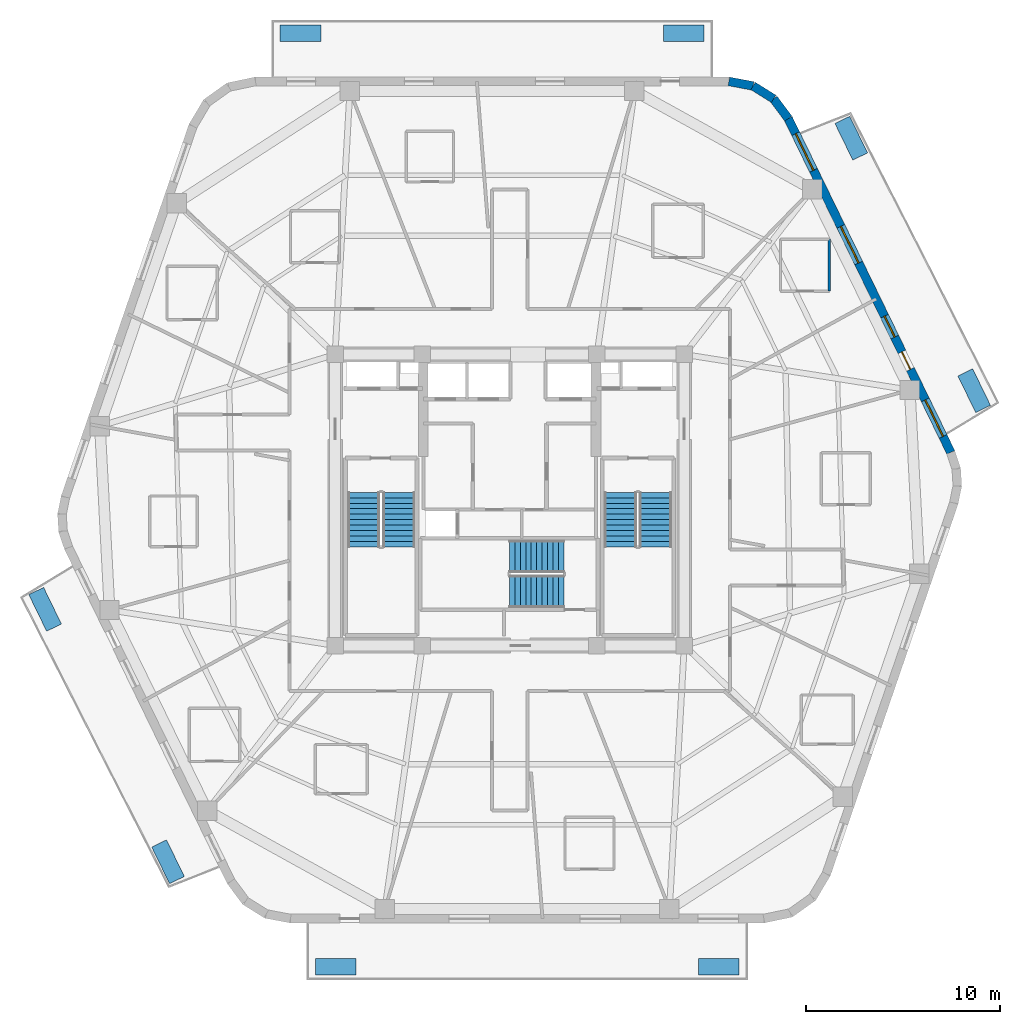
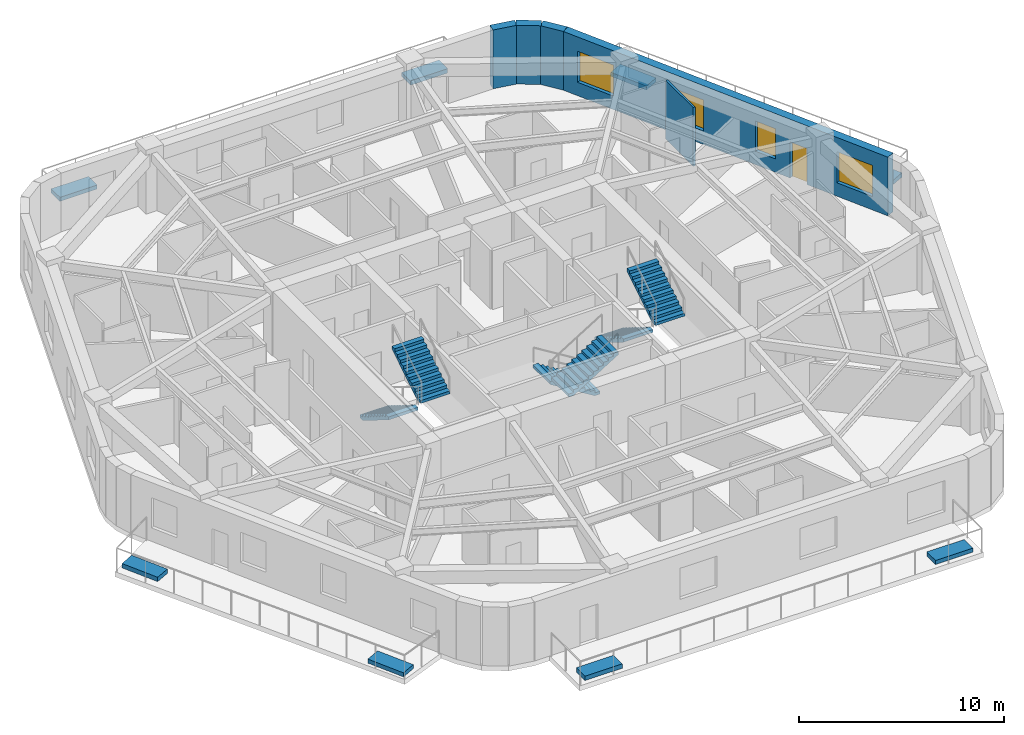
# One storey, part 7 of 10: 8 discrete accessories, 6 stair flights, 5 walls, 4 windows, 1 door, 5 openings, 3 elements without a shape of their own.
"""IFC4 building model written with IfcOpenShell, lengths in metres."""

from ifc_helpers import new_model, si_unit, direction, frame, frame_2d, origin, origin_2d, place, context, subcontext, project, spatial, polyline, rectangle, outline, extrude, material, layer, layer_set, type_object, element, fill, aggregate, save


model = new_model("IFC4")

# Units and contexts
model_context = context("Model", 3, precision=1e-05, world=origin(), true_north=direction((0.0, 1.0)))
body_context = subcontext(model_context, "Body", "Model", "MODEL_VIEW")
ifc_project = project(units=[si_unit("LENGTHUNIT", "METRE"), si_unit("AREAUNIT", "SQUARE_METRE"), si_unit("VOLUMEUNIT", "CUBIC_METRE"), si_unit("PLANEANGLEUNIT", "RADIAN"), si_unit("MASSUNIT", "GRAM", prefix="KILO")], contexts=[model_context])

# Site, building, storey
site_placement = place(None, origin())
site = spatial("IfcSite", under=ifc_project, at=site_placement, CompositionType="ELEMENT")
building_placement = place(site_placement, origin())
building = spatial("IfcBuilding", under=site, at=building_placement, Name="Kilnhurst Terrace Hotel", CompositionType="ELEMENT")
storey_placement = place(building_placement, frame((0.0, 0.0, 248.300048828125)))
storey = spatial("IfcBuildingStorey", under=building, at=storey_placement, Name="L62", CompositionType="ELEMENT", Elevation=248.300048828125)

# Walls
ifc_material_1 = material(Name="Precast concrete C40/50", Category="concrete")
ifc_layer_1 = layer(ifc_material_1, 0.449951171875, Name="Precast concrete C40/50")
ifc_layer_set_1 = layer_set([ifc_layer_1], Name="Precast concrete C40/50")
wall_type_1 = type_object("IfcWallType", Name="WL-BRK-450", PredefinedType="SOLIDWALL", material=ifc_layer_set_1)
wall_1_placement = place(storey_placement, frame((14.3623046875, 19.658447265625, 0.0), z_axis=(0.0, 0.0, 1.0), x_axis=(-0.596642462792, 0.80250717853, 0.0)))
element("IfcWall", 1, at=wall_1_placement, inside=storey, type_object=wall_type_1, Name="L62 Rounded Corner Brick Wall C4.1", PredefinedType="SOLIDWALL", context=body_context, shape_type="SweptSolid", body=[
    extrude(rectangle(XDim=1.27001953125, YDim=0.449951171875, at=frame_2d((0.635009765625, 0.0))), origin(), (0.0, 0.0, 1.0), 3.5),
])
wall_2_placement = place(storey_placement, frame((13.6044921875, 20.677734375, 0.0), z_axis=(0.0, 0.0, 1.0), x_axis=(-0.847910404124, 0.53013955387, 0.0)))
element("IfcWall", 2, at=wall_2_placement, inside=storey, type_object=wall_type_1, Name="L62 Rounded Corner Brick Wall C4.2", PredefinedType="SOLIDWALL", context=body_context, shape_type="SweptSolid", body=[
    extrude(rectangle(XDim=1.24853515625, YDim=0.449951171875, at=frame_2d((0.624267578125, 0.0))), origin(), (0.0, 0.0, 1.0), 3.5),
])
wall_3_placement = place(storey_placement, frame((12.5458984375, 21.339599609375, 0.0), z_axis=(0.0, 0.0, 1.0), x_axis=(-0.982686750835, 0.18527479519, 0.0)))
element("IfcWall", 3, at=wall_3_placement, inside=storey, type_object=wall_type_1, Name="L62 Rounded Corner Brick Wall C4.3", PredefinedType="SOLIDWALL", context=body_context, shape_type="SweptSolid", body=[
    extrude(rectangle(XDim=1.270263671875, YDim=0.449951171875, at=frame_2d((0.63525390625, 0.0))), origin(), (0.0, 0.0, 1.0), 3.5),
])

# Wall, openings, door, windows
wall_4_placement = place(storey_placement, frame((22.73974609375, 2.4521484375, 0.0), z_axis=(0.0, 0.0, 1.0), x_axis=(-0.437753424814, 0.899095066755, 0.0)))
wall_4 = element("IfcWall", 4, at=wall_4_placement, inside=storey, type_object=wall_type_1, Name="L62 Exterior Brick Facade Wall F3", PredefinedType="SOLIDWALL", context=body_context, shape_type="SweptSolid", body=[
    extrude(rectangle(XDim=19.137451171875, YDim=0.449951171875, at=frame_2d((9.56884765625, 0.0))), origin(), (0.0, 0.0, 1.0), 3.5),
])
opening_1_placement = place(wall_4_placement, frame((4.762939453125, 0.0, 0.0)))
opening_1 = element("IfcOpeningElement", 5, at=opening_1_placement, cuts=wall_4, Name="Opening BD-1000", PredefinedType="OPENING", context=body_context, shape_type="SweptSolid", body=[
    extrude(rectangle(XDim=1.0, YDim=2.14990234375, at=frame_2d((0.5, 1.074951171875))), frame((0.0, 0.23486328125, 0.0), z_axis=(0.0, -1.0, 0.0), x_axis=(1.0, 0.0, 0.0)), (0.0, 0.0, 1.0), 0.469970703125),
])
opening_2_placement = place(wall_4_placement, frame((6.611083984375, 0.0, 0.800048828125)))
opening_2 = element("IfcOpeningElement", 6, at=opening_2_placement, cuts=wall_4, Name="Opening W-03", PredefinedType="OPENING", context=body_context, shape_type="SweptSolid", body=[
    extrude(rectangle(XDim=1.199951171875, YDim=1.800048828125, at=frame_2d((0.60009765625, 0.89990234375))), frame((0.0, 0.23486328125, 0.0), z_axis=(0.0, -1.0, 0.0), x_axis=(1.0, 0.0, 0.0)), (0.0, 0.0, 1.0), 0.469970703125),
])
opening_3_placement = place(wall_4_placement, frame((10.85595703125, 0.0, 0.800048828125)))
opening_3 = element("IfcOpeningElement", 7, at=opening_3_placement, cuts=wall_4, Name="Opening W-04", PredefinedType="OPENING", context=body_context, shape_type="SweptSolid", body=[
    extrude(rectangle(XDim=2.10009765625, YDim=1.85009765625, at=frame_2d((1.050048828125, 0.925048828125))), frame((0.0, 0.23486328125, 0.0), z_axis=(0.0, -1.0, 0.0), x_axis=(1.0, 0.0, 0.0)), (0.0, 0.0, 1.0), 0.469970703125),
])
opening_4_placement = place(wall_4_placement, frame((16.173095703125, 0.0, 0.800048828125)))
opening_4 = element("IfcOpeningElement", 8, at=opening_4_placement, cuts=wall_4, Name="Opening W-04", PredefinedType="OPENING", context=body_context, shape_type="SweptSolid", body=[
    extrude(rectangle(XDim=2.10009765625, YDim=1.85009765625, at=frame_2d((1.050048828125, 0.925048828125))), frame((0.0, 0.23486328125, 0.0), z_axis=(0.0, -1.0, 0.0), x_axis=(1.0, 0.0, 0.0)), (0.0, 0.0, 1.0), 0.469970703125),
])
opening_5_placement = place(wall_4_placement, frame((0.916015625, 0.0, 0.800048828125)))
opening_5 = element("IfcOpeningElement", 9, at=opening_5_placement, cuts=wall_4, Name="Opening W-04", PredefinedType="OPENING", context=body_context, shape_type="SweptSolid", body=[
    extrude(rectangle(XDim=2.10009765625, YDim=1.85009765625, at=frame_2d((1.050048828125, 0.925048828125))), frame((0.0, 0.23486328125, 0.0), z_axis=(0.0, -1.0, 0.0), x_axis=(1.0, 0.0, 0.0)), (0.0, 0.0, 1.0), 0.469970703125),
])
ifc_material_2 = material(Name="Thermally Broken Bronze Aluminium Alloy 6063-T6 and Laminated Glass", Category="aluminium")
door_type = type_object("IfcDoorType", Name="DR-EXT-BAL-1000", OperationType="NOTDEFINED", PredefinedType="DOOR", material=ifc_material_2)
door_placement = place(opening_1_placement, origin())
door = element("IfcDoor", 10, at=door_placement, inside=storey, type_object=door_type, Name="L62 Planted Balcony Door BAL-L1A", OperationType="SINGLE_SWING_LEFT", OverallHeight=2.14990234375, OverallWidth=1.0, PredefinedType="DOOR", context=body_context, shape_type="SweptSolid", body=[
    extrude(rectangle(XDim=1.0, YDim=2.14990234375, at=frame_2d((0.5, 1.074951171875))), frame((0.0, 0.02490234375, 0.0), z_axis=(0.0, -1.0, 0.0), x_axis=(1.0, 0.0, 0.0)), (0.0, 0.0, 1.0), 0.050048828125),
])
fill(opening_1, door)
ifc_material_3 = material(Name="Thermally Broken Bronze Aluminium Alloy 6063-T6 and Low-E Glass", Category="aluminium")
window_type_1 = type_object("IfcWindowType", Name="WIN-1200X1800", PartitioningType="SINGLE_PANEL", PredefinedType="WINDOW", material=ifc_material_3)
window_1_placement = place(opening_2_placement, origin())
window_1 = element("IfcWindow", 11, at=window_1_placement, inside=storey, type_object=window_type_1, Name="L62 Deep-Set Masonry Window F3.1", OverallHeight=1.800048828125, OverallWidth=1.199951171875, PartitioningType="SINGLE_PANEL", PredefinedType="WINDOW", context=body_context, shape_type="SweptSolid", body=[
    extrude(rectangle(XDim=1.199951171875, YDim=1.800048828125, at=frame_2d((0.60009765625, 0.89990234375))), frame((0.0, 0.030029296875, 0.0), z_axis=(0.0, -1.0, 0.0), x_axis=(1.0, 0.0, 0.0)), (0.0, 0.0, 1.0), 0.06005859375),
])
fill(opening_2, window_1)
window_type_2 = type_object("IfcWindowType", Name="WIN-2100X1850", PartitioningType="SINGLE_PANEL", PredefinedType="WINDOW", material=ifc_material_3)
window_2_placement = place(opening_3_placement, origin())
window_2 = element("IfcWindow", 12, at=window_2_placement, inside=storey, type_object=window_type_2, Name="L62 Deep-Set Masonry Window F3.2", OverallHeight=1.85009765625, OverallWidth=2.10009765625, PartitioningType="SINGLE_PANEL", PredefinedType="WINDOW", context=body_context, shape_type="SweptSolid", body=[
    extrude(rectangle(XDim=2.10009765625, YDim=1.85009765625, at=frame_2d((1.050048828125, 0.925048828125))), frame((0.0, 0.030029296875, 0.0), z_axis=(0.0, -1.0, 0.0), x_axis=(1.0, 0.0, 0.0)), (0.0, 0.0, 1.0), 0.06005859375),
])
fill(opening_3, window_2)
window_3_placement = place(opening_4_placement, origin())
window_3 = element("IfcWindow", 13, at=window_3_placement, inside=storey, type_object=window_type_2, Name="L62 Deep-Set Masonry Window F3.3", OverallHeight=1.85009765625, OverallWidth=2.10009765625, PartitioningType="SINGLE_PANEL", PredefinedType="WINDOW", context=body_context, shape_type="SweptSolid", body=[
    extrude(rectangle(XDim=2.10009765625, YDim=1.85009765625, at=frame_2d((1.050048828125, 0.925048828125))), frame((0.0, 0.030029296875, 0.0), z_axis=(0.0, -1.0, 0.0), x_axis=(1.0, 0.0, 0.0)), (0.0, 0.0, 1.0), 0.06005859375),
])
fill(opening_4, window_3)
window_4_placement = place(opening_5_placement, origin())
window_4 = element("IfcWindow", 14, at=window_4_placement, inside=storey, type_object=window_type_2, Name="L62 Deep-Set Masonry Window F3.4", OverallHeight=1.85009765625, OverallWidth=2.10009765625, PartitioningType="SINGLE_PANEL", PredefinedType="WINDOW", context=body_context, shape_type="SweptSolid", body=[
    extrude(rectangle(XDim=2.10009765625, YDim=1.85009765625, at=frame_2d((1.050048828125, 0.925048828125))), frame((0.0, 0.030029296875, 0.0), z_axis=(0.0, -1.0, 0.0), x_axis=(1.0, 0.0, 0.0)), (0.0, 0.0, 1.0), 0.06005859375),
])
fill(opening_5, window_4)

# Wall
ifc_material_4 = material(Name="120 mm Moisture-Resistant Tile-Backed Bathroom Partition")
ifc_layer_2 = layer(ifc_material_4, 0.1201171875, Name="120 mm Moisture-Resistant Tile-Backed Bathroom Partition")
ifc_layer_set_2 = layer_set([ifc_layer_2], Name="120 mm Moisture-Resistant Tile-Backed Bathroom Partition")
wall_type_2 = type_object("IfcWallType", Name="WL-PART-120", PredefinedType="PARTITIONING", material=ifc_layer_set_2)
wall_5_placement = place(storey_placement, frame((16.47802734375, 10.761962890625, 0.0), z_axis=(0.0, 0.0, 1.0), x_axis=(0.0, 1.0, 0.0)))
element("IfcWall", 15, at=wall_5_placement, inside=storey, type_object=wall_type_2, Name="L62 Interior Wall WL-L62-BTH-02-2", PredefinedType="PARTITIONING", context=body_context, shape_type="SweptSolid", body=[
    extrude(rectangle(XDim=2.679931640625, YDim=0.1201171875, at=frame_2d((1.33984375, 0.0))), origin(), (0.0, 0.0, 1.0), 3.5),
])

# Stair, stair flights
ifc_material_5 = material(Name="Concrete C50/60", Category="concrete")
stair_type = type_object("IfcStairType", Name="STR-CORE-1660", PredefinedType="HALF_TURN_STAIR", material=ifc_material_5)
stair_1_placement = place(storey_placement, origin())
stair_1 = element("IfcStair", 16, at=stair_1_placement, inside=storey, type_object=stair_type, Name="L62 ST-1", PredefinedType="HALF_TURN_STAIR")
stair_flight_type = type_object("IfcStairFlightType", Name="FLT-RC-1660", PredefinedType="STRAIGHT", material=ifc_material_5)
stair_flight_1_placement = place(storey_placement, frame((-7.52001953125, 0.389892578125, 0.0), z_axis=(0.0, 0.0, 1.0), x_axis=(0.0, -1.0, 0.0)))
stair_flight_1 = element("IfcStairFlight", 17, at=stair_flight_1_placement, type_object=stair_flight_type, Name="ST-1 flight 1", NumberOfRisers=11, NumberOfTreads=10, PredefinedType="STRAIGHT", RiserHeight=0.172727273, TreadLength=0.28, context=body_context, shape_type="SweptSolid", body=[
    extrude(outline(polyline([(0.0, 0.0), (0.0, 0.172607421875), (0.280029296875, 0.172607421875), (0.280029296875, 0.345458984375), (0.56005859375, 0.345458984375), (0.56005859375, 0.51806640625), (0.840087890625, 0.51806640625), (0.840087890625, 0.69091796875), (1.1201171875, 0.69091796875), (1.1201171875, 0.863525390625), (1.39990234375, 0.863525390625), (1.39990234375, 1.036376953125), (1.679931640625, 1.036376953125), (1.679931640625, 1.208984375), (1.9599609375, 1.208984375), (1.9599609375, 1.3818359375), (2.239990234375, 1.3818359375), (2.239990234375, 1.554443359375), (2.52001953125, 1.554443359375), (2.52001953125, 1.727294921875), (2.800048828125, 1.727294921875), (2.800048828125, 1.89990234375), (2.800048828125, 1.551025390625), (0.285400390625, 0.0), (0.0, 0.0)])), frame((0.0, 0.830078125, 0.0), z_axis=(0.0, -1.0, 0.0), x_axis=(1.0, 0.0, 0.0)), (0.0, 0.0, 1.0), 1.659912109375),
])
stair_flight_2_placement = place(storey_placement, frame((-5.7099609375, -2.409912109375, 1.89990234375), z_axis=(0.0, 0.0, 1.0), x_axis=(0.0, 1.0, 0.0)))
stair_flight_2 = element("IfcStairFlight", 18, at=stair_flight_2_placement, type_object=stair_flight_type, Name="ST-1 flight 2", NumberOfRisers=11, NumberOfTreads=10, PredefinedType="STRAIGHT", RiserHeight=0.172727273, TreadLength=0.28, context=body_context, shape_type="SweptSolid", body=[
    extrude(outline(polyline([(0.0, 0.0), (0.0, 0.172607421875), (0.280029296875, 0.172607421875), (0.280029296875, 0.345458984375), (0.56005859375, 0.345458984375), (0.56005859375, 0.51806640625), (0.840087890625, 0.51806640625), (0.840087890625, 0.69091796875), (1.1201171875, 0.69091796875), (1.1201171875, 0.863525390625), (1.39990234375, 0.863525390625), (1.39990234375, 1.036376953125), (1.679931640625, 1.036376953125), (1.679931640625, 1.208984375), (1.9599609375, 1.208984375), (1.9599609375, 1.3818359375), (2.239990234375, 1.3818359375), (2.239990234375, 1.554443359375), (2.52001953125, 1.554443359375), (2.52001953125, 1.727294921875), (2.800048828125, 1.727294921875), (2.800048828125, 1.89990234375), (2.800048828125, 1.551025390625), (0.285400390625, 0.0), (0.0, 0.0)])), frame((0.0, 0.830078125, 0.0), z_axis=(0.0, -1.0, 0.0), x_axis=(1.0, 0.0, 0.0)), (0.0, 0.0, 1.0), 1.659912109375),
])
aggregate(stair_1, [stair_flight_1, stair_flight_2])

stair_2_placement = place(storey_placement, origin())
stair_2 = element("IfcStair", 19, at=stair_2_placement, inside=storey, type_object=stair_type, Name="L62 ST-2", PredefinedType="HALF_TURN_STAIR")
stair_flight_3_placement = place(storey_placement, frame((5.7099609375, 0.389892578125, 0.0), z_axis=(0.0, 0.0, 1.0), x_axis=(0.0, -1.0, 0.0)))
stair_flight_3 = element("IfcStairFlight", 20, at=stair_flight_3_placement, type_object=stair_flight_type, Name="ST-2 flight 1", NumberOfRisers=11, NumberOfTreads=10, PredefinedType="STRAIGHT", RiserHeight=0.172727273, TreadLength=0.28, context=body_context, shape_type="SweptSolid", body=[
    extrude(outline(polyline([(0.0, 0.0), (0.0, 0.172607421875), (0.280029296875, 0.172607421875), (0.280029296875, 0.345458984375), (0.56005859375, 0.345458984375), (0.56005859375, 0.51806640625), (0.840087890625, 0.51806640625), (0.840087890625, 0.69091796875), (1.1201171875, 0.69091796875), (1.1201171875, 0.863525390625), (1.39990234375, 0.863525390625), (1.39990234375, 1.036376953125), (1.679931640625, 1.036376953125), (1.679931640625, 1.208984375), (1.9599609375, 1.208984375), (1.9599609375, 1.3818359375), (2.239990234375, 1.3818359375), (2.239990234375, 1.554443359375), (2.52001953125, 1.554443359375), (2.52001953125, 1.727294921875), (2.800048828125, 1.727294921875), (2.800048828125, 1.89990234375), (2.800048828125, 1.551025390625), (0.285400390625, 0.0), (0.0, 0.0)])), frame((0.0, 0.830078125, 0.0), z_axis=(0.0, -1.0, 0.0), x_axis=(1.0, 0.0, 0.0)), (0.0, 0.0, 1.0), 1.659912109375),
])
stair_flight_4_placement = place(storey_placement, frame((7.52001953125, -2.409912109375, 1.89990234375), z_axis=(0.0, 0.0, 1.0), x_axis=(0.0, 1.0, 0.0)))
stair_flight_4 = element("IfcStairFlight", 21, at=stair_flight_4_placement, type_object=stair_flight_type, Name="ST-2 flight 2", NumberOfRisers=11, NumberOfTreads=10, PredefinedType="STRAIGHT", RiserHeight=0.172727273, TreadLength=0.28, context=body_context, shape_type="SweptSolid", body=[
    extrude(outline(polyline([(0.0, 0.0), (0.0, 0.172607421875), (0.280029296875, 0.172607421875), (0.280029296875, 0.345458984375), (0.56005859375, 0.345458984375), (0.56005859375, 0.51806640625), (0.840087890625, 0.51806640625), (0.840087890625, 0.69091796875), (1.1201171875, 0.69091796875), (1.1201171875, 0.863525390625), (1.39990234375, 0.863525390625), (1.39990234375, 1.036376953125), (1.679931640625, 1.036376953125), (1.679931640625, 1.208984375), (1.9599609375, 1.208984375), (1.9599609375, 1.3818359375), (2.239990234375, 1.3818359375), (2.239990234375, 1.554443359375), (2.52001953125, 1.554443359375), (2.52001953125, 1.727294921875), (2.800048828125, 1.727294921875), (2.800048828125, 1.89990234375), (2.800048828125, 1.551025390625), (0.285400390625, 0.0), (0.0, 0.0)])), frame((0.0, 0.830078125, 0.0), z_axis=(0.0, -1.0, 0.0), x_axis=(1.0, 0.0, 0.0)), (0.0, 0.0, 1.0), 1.659912109375),
])
aggregate(stair_2, [stair_flight_3, stair_flight_4])

stair_3_placement = place(storey_placement, origin())
stair_3 = element("IfcStair", 22, at=stair_3_placement, inside=storey, type_object=stair_type, Name="L62 ST-3", PredefinedType="HALF_TURN_STAIR")
stair_flight_5_placement = place(storey_placement, frame((2.7900390625, -2.909912109375, 0.0), z_axis=(0.0, 0.0, 1.0), x_axis=(-1.0, 0.0, 0.0)))
stair_flight_5 = element("IfcStairFlight", 23, at=stair_flight_5_placement, type_object=stair_flight_type, Name="ST-3 flight 1", NumberOfRisers=11, NumberOfTreads=10, PredefinedType="STRAIGHT", RiserHeight=0.172727273, TreadLength=0.28, context=body_context, shape_type="SweptSolid", body=[
    extrude(outline(polyline([(0.0, 0.0), (0.0, 0.172607421875), (0.280029296875, 0.172607421875), (0.280029296875, 0.345458984375), (0.56005859375, 0.345458984375), (0.56005859375, 0.51806640625), (0.840087890625, 0.51806640625), (0.840087890625, 0.69091796875), (1.1201171875, 0.69091796875), (1.1201171875, 0.863525390625), (1.39990234375, 0.863525390625), (1.39990234375, 1.036376953125), (1.679931640625, 1.036376953125), (1.679931640625, 1.208984375), (1.9599609375, 1.208984375), (1.9599609375, 1.3818359375), (2.239990234375, 1.3818359375), (2.239990234375, 1.554443359375), (2.52001953125, 1.554443359375), (2.52001953125, 1.727294921875), (2.800048828125, 1.727294921875), (2.800048828125, 1.89990234375), (2.800048828125, 1.551025390625), (0.285400390625, 0.0), (0.0, 0.0)])), frame((0.0, 0.830078125, 0.0), z_axis=(0.0, -1.0, 0.0), x_axis=(1.0, 0.0, 0.0)), (0.0, 0.0, 1.0), 1.659912109375),
])
stair_flight_6_placement = place(storey_placement, frame((-0.010009765625, -4.719970703125, 1.89990234375), z_axis=(0.0, 0.0, 1.0), x_axis=(1.0, 0.0, 0.0)))
stair_flight_6 = element("IfcStairFlight", 24, at=stair_flight_6_placement, type_object=stair_flight_type, Name="ST-3 flight 2", NumberOfRisers=11, NumberOfTreads=10, PredefinedType="STRAIGHT", RiserHeight=0.172727273, TreadLength=0.28, context=body_context, shape_type="SweptSolid", body=[
    extrude(outline(polyline([(0.0, 0.0), (0.0, 0.172607421875), (0.280029296875, 0.172607421875), (0.280029296875, 0.345458984375), (0.56005859375, 0.345458984375), (0.56005859375, 0.51806640625), (0.840087890625, 0.51806640625), (0.840087890625, 0.69091796875), (1.1201171875, 0.69091796875), (1.1201171875, 0.863525390625), (1.39990234375, 0.863525390625), (1.39990234375, 1.036376953125), (1.679931640625, 1.036376953125), (1.679931640625, 1.208984375), (1.9599609375, 1.208984375), (1.9599609375, 1.3818359375), (2.239990234375, 1.3818359375), (2.239990234375, 1.554443359375), (2.52001953125, 1.554443359375), (2.52001953125, 1.727294921875), (2.800048828125, 1.727294921875), (2.800048828125, 1.89990234375), (2.800048828125, 1.551025390625), (0.285400390625, 0.0), (0.0, 0.0)])), frame((0.0, 0.830078125, 0.0), z_axis=(0.0, -1.0, 0.0), x_axis=(1.0, 0.0, 0.0)), (0.0, 0.0, 1.0), 1.659912109375),
])
aggregate(stair_3, [stair_flight_5, stair_flight_6])

# Discrete accessories
ifc_material_6 = material(Name="Precast Concrete C40/50 Shrub Planter", Category="concrete")
discrete_accessory_type_1 = type_object("IfcDiscreteAccessoryType", Name="PLN-SHRUB-240", PredefinedType="USERDEFINED", material=ifc_material_6)
for number, where, z_axis, x_axis, name in (
    (25, (17.607177734375, 18.64794921875, 0.0), (0.0, 0.0, 1.0), (-0.437743563395, 0.899099868038, 0.0), "L62 Structural Tree Planter Box PLANTER BAL-L1A.2"),
    (26, (-10.77490234375, 24.050048828125, 0.0), (0.0, 0.0, 1.0), (-1.0, 0.0, 0.0), "L62 Structural Tree Planter Box PLANTER BAL-L1B.2"),
    (27, (-17.607177734375, -18.64794921875, 0.0), (0.0, 0.0, 1.0), (0.437743563395, -0.899099868038, 0.0), "L62 Structural Tree Planter Box PLANTER BAL-L2A.2"),
    (28, (10.77490234375, -24.050048828125, 0.0), (0.0, 0.0, 1.0), (1.0, 0.0, 0.0), "L62 Structural Tree Planter Box PLANTER BAL-L2B.2"),
):
    element("IfcDiscreteAccessory", number, at=place(storey_placement, frame(where, z_axis=z_axis, x_axis=x_axis)), inside=storey, type_object=discrete_accessory_type_1, Name=name, ObjectType="PLANTER", PredefinedType="USERDEFINED", context=body_context, shape_type="SweptSolid", body=[
        extrude(rectangle(XDim=2.10009765625, YDim=0.85009765625, at=origin_2d()), origin(), (0.0, 0.0, 1.0), 0.239990234375),
    ])
ifc_material_7 = material(Name="Precast Concrete C40/50 Tree Planter", Category="concrete")
discrete_accessory_type_2 = type_object("IfcDiscreteAccessoryType", Name="PLN-TREE-260", PredefinedType="USERDEFINED", material=ifc_material_7)
for number, where, z_axis, x_axis, name in (
    (29, (23.942626953125, 5.635009765625, 0.0), (0.0, 0.0, 1.0), (-0.437743563395, 0.899099868038, 0.0), "L62 Structural Tree Planter Box PLANTER BAL-L1A.1"),
    (30, (8.96875, 24.050048828125, 0.0), (0.0, 0.0, 1.0), (-1.0, 0.0, 0.0), "L62 Structural Tree Planter Box PLANTER BAL-L1B.1"),
    (31, (-23.942626953125, -5.635009765625, 0.0), (0.0, 0.0, 1.0), (0.437743563395, -0.899099868038, 0.0), "L62 Structural Tree Planter Box PLANTER BAL-L2A.1"),
    (32, (-8.96875, -24.050048828125, 0.0), (0.0, 0.0, 1.0), (1.0, 0.0, 0.0), "L62 Structural Tree Planter Box PLANTER BAL-L2B.1"),
):
    element("IfcDiscreteAccessory", number, at=place(storey_placement, frame(where, z_axis=z_axis, x_axis=x_axis)), inside=storey, type_object=discrete_accessory_type_2, Name=name, ObjectType="PLANTER", PredefinedType="USERDEFINED", context=body_context, shape_type="SweptSolid", body=[
        extrude(rectangle(XDim=2.10009765625, YDim=0.85009765625, at=origin_2d()), origin(), (0.0, 0.0, 1.0), 0.260009765625),
    ])

save(model, "model.ifc")
